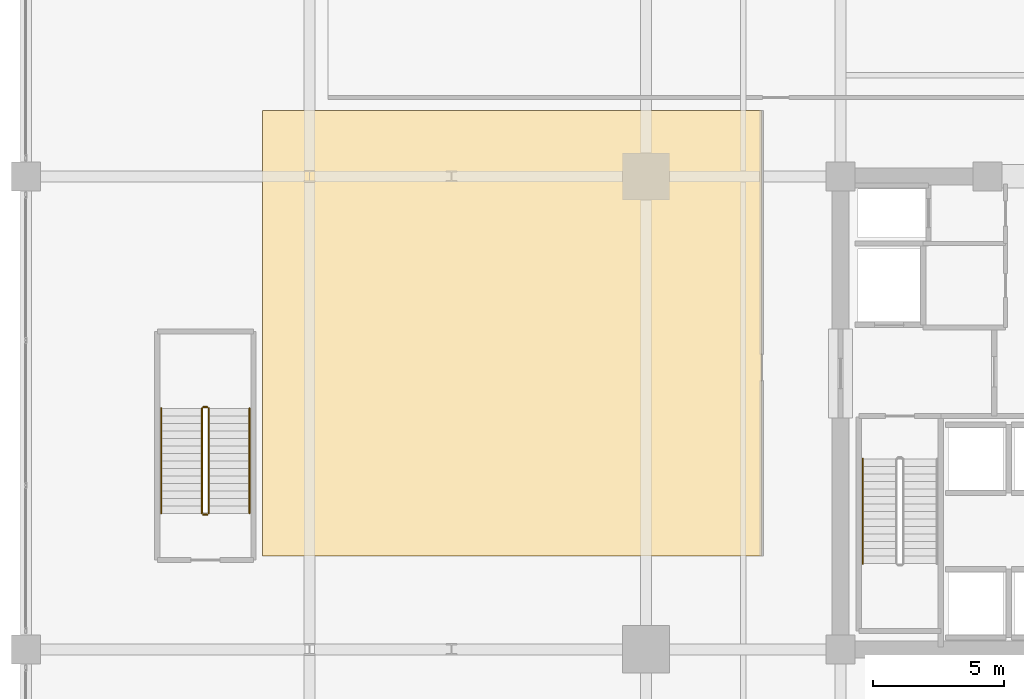
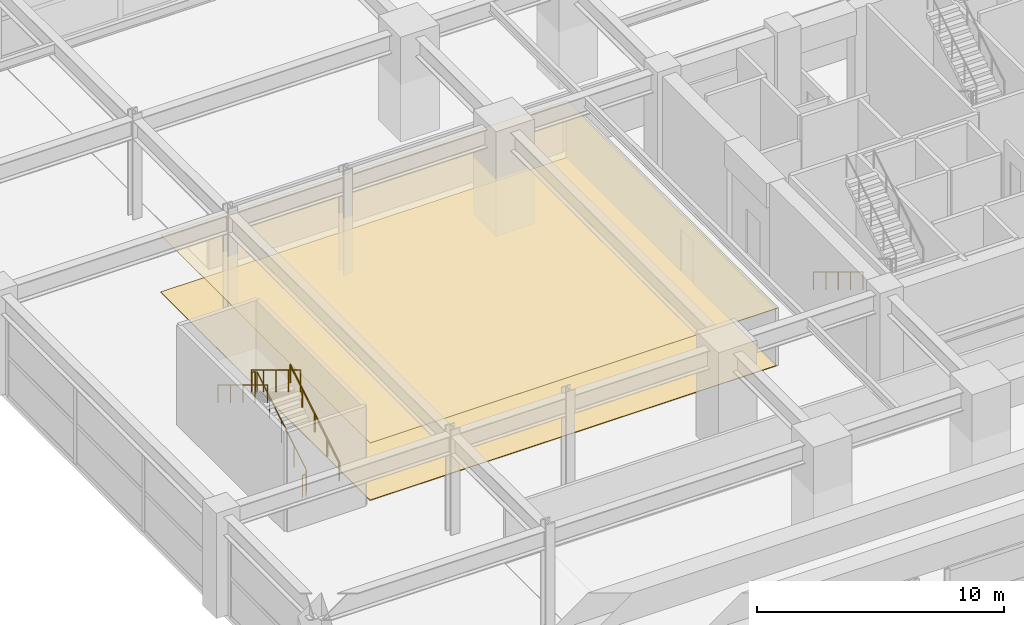
# One storey, part 39 of 45: 7 railings, 2 coverings.
"""IFC4 building model written with IfcOpenShell, lengths in metres."""

import ifcopenshell
import ifcopenshell.guid

model = None  # the IFC model being written
_history = None  # IfcOwnerHistory: only IFC2X3 demands one
_inside = {}  # id of a spatial element -> (the spatial element, [elements in it])
_under = {}  # id of a project, library or spatial element -> (it, [spatial elements below it])
_declared = {}  # id of a project -> (the project, [libraries it declares])
_typed = {}  # id of a type object -> (the type object, [elements of that type])
_made_of = {}  # id of a material, layer set ... -> (it, [elements and type objects made of it])


def new_model(schema):
    """Start an empty IFC model of exactly this schema.

    Asked for "IFC4X3", IfcOpenShell would pick the latest addendum, in which some entities
    have other attributes; the version numbers below select the first issue.
    IFC2X3 requires an IfcOwnerHistory on every rooted entity: one is made here for all.
    """
    global model, _history
    if schema == "IFC4X3":
        model = ifcopenshell.file(schema_version=(4, 3, 0, 0))
    else:
        model = ifcopenshell.file(schema=schema)
    _inside.clear()
    _under.clear()
    _declared.clear()
    _typed.clear()
    _made_of.clear()
    _history = None
    if model.schema == "IFC2X3":
        org = make("IfcOrganization", Name="unknown")
        user = make(
            "IfcPersonAndOrganization",
            ThePerson=make("IfcPerson", FamilyName="unknown"),
            TheOrganization=org,
        )
        app = make(
            "IfcApplication",
            ApplicationDeveloper=org,
            Version="unknown",
            ApplicationFullName="unknown",
            ApplicationIdentifier="unknown",
        )
        _history = make(
            "IfcOwnerHistory",
            OwningUser=user,
            OwningApplication=app,
            ChangeAction="ADDED",
            CreationDate=0,
        )
    return model


def make(cls, **values):
    """One entity of the class cls with the attributes given. An attribute that is None is left unset."""
    return model.create_entity(
        cls, **{name: value for name, value in values.items() if value is not None}
    )


def rooted(cls, **values):
    """An entity with a GlobalId (a new one), such as an element, a storey or a relation."""
    return make(cls, GlobalId=ifcopenshell.guid.new(), OwnerHistory=_history, **values)


def si_unit(unit_type, name, prefix=None):
    """IfcSIUnit, for example si_unit("LENGTHUNIT", "METRE", prefix="MILLI")."""
    return make("IfcSIUnit", UnitType=unit_type, Prefix=prefix, Name=name)


def assignment(units):
    """IfcUnitAssignment: the units of a project."""
    return None if units is None else make("IfcUnitAssignment", Units=units)


def point(xyz):
    """IfcCartesianPoint."""
    return None if xyz is None else make("IfcCartesianPoint", Coordinates=xyz)


def direction(xyz):
    """IfcDirection."""
    return None if xyz is None else make("IfcDirection", DirectionRatios=xyz)


def frame(location, z_axis=None, x_axis=None):
    """IfcAxis2Placement3D, a coordinate frame: its origin and axes. An axis left out is left unset."""
    return make(
        "IfcAxis2Placement3D",
        Location=point(location),
        Axis=direction(z_axis),
        RefDirection=direction(x_axis),
    )


def frame_2d(location, x_axis=None):
    """IfcAxis2Placement2D, a coordinate frame in the plane: its origin and x axis."""
    return make(
        "IfcAxis2Placement2D", Location=point(location), RefDirection=direction(x_axis)
    )


def origin():
    """The frame at (0, 0, 0) with its axes left unset."""
    return frame((0.0, 0.0, 0.0))


def origin_2d():
    """The frame at (0, 0) in the plane with its x axis left unset."""
    return frame_2d((0.0, 0.0))


def place(relative_to, where):
    """IfcLocalPlacement: puts the frame where relative to a parent placement (None: the world)."""
    return make(
        "IfcLocalPlacement", PlacementRelTo=relative_to, RelativePlacement=where
    )


def context(
    kind, dimensions, precision=None, world=None, true_north=None, identifier=None
):
    """IfcGeometricRepresentationContext, for example the 3D "Model" context."""
    return make(
        "IfcGeometricRepresentationContext",
        ContextIdentifier=identifier,
        ContextType=kind,
        CoordinateSpaceDimension=dimensions,
        Precision=precision,
        WorldCoordinateSystem=world,
        TrueNorth=true_north,
    )


def subcontext(parent, identifier, kind, view, scale=None):
    """IfcGeometricRepresentationSubContext, for example "Body" below "Model"."""
    return make(
        "IfcGeometricRepresentationSubContext",
        ContextIdentifier=identifier,
        ContextType=kind,
        ParentContext=parent,
        TargetScale=scale,
        TargetView=view,
    )


def project(units=None, contexts=None):
    """IfcProject with its units and contexts."""
    return rooted(
        "IfcProject",
        Name="project",
        RepresentationContexts=contexts,
        UnitsInContext=assignment(units),
    )


def spatial(cls, under=None, at=None, **own):
    """A site, building, storey or space (cls), placed at a placement, below another one or the project."""
    s = rooted(cls, ObjectPlacement=at, **own)
    if under is not None:
        _under.setdefault(under.id(), (under, []))[1].append(s)
    return s


def polyline(points):
    """IfcPolyline through the points."""
    return make("IfcPolyline", Points=[point(p) for p in points])


def profile(cls, at=None, kind="AREA", **sizes):
    """A parametric profile (cls). Its sizes go by their IFC names, for example OverallWidth=200.0."""
    return make(cls, ProfileType=kind, Position=at, **sizes)


def circle(**sizes):
    """IfcCircleProfileDef."""
    return profile("IfcCircleProfileDef", **sizes)


def outline(outer, holes=None, kind="AREA"):
    """IfcArbitraryClosedProfileDef: a profile drawn as a closed curve; with holes, ...WithVoids."""
    if holes is None:
        return make("IfcArbitraryClosedProfileDef", ProfileType=kind, OuterCurve=outer)
    return make(
        "IfcArbitraryProfileDefWithVoids",
        ProfileType=kind,
        OuterCurve=outer,
        InnerCurves=holes,
    )


def extrude(swept, where, along, depth):
    """IfcExtrudedAreaSolid: the profile swept, set in the frame where, extruded along a direction by depth."""
    return make(
        "IfcExtrudedAreaSolid",
        SweptArea=swept,
        Position=where,
        ExtrudedDirection=direction(along),
        Depth=depth,
    )


def shape(context_of_items, identifier, shape_type, items):
    """IfcShapeRepresentation: the items that make up one representation, for example the "Body"."""
    return make(
        "IfcShapeRepresentation",
        ContextOfItems=context_of_items,
        RepresentationIdentifier=identifier,
        RepresentationType=shape_type,
        Items=items,
    )


def material(Name=None, Category=None):
    """IfcMaterial."""
    return make("IfcMaterial", Name=Name, Category=Category)


def layer(
    of_material, thickness, ventilated=None, Name=None, Category=None, Priority=None
):
    """IfcMaterialLayer: one layer of a wall or slab, of a material (None: an air gap)."""
    return make(
        "IfcMaterialLayer",
        Material=of_material,
        LayerThickness=thickness,
        IsVentilated=ventilated,
        Name=Name,
        Category=Category,
        Priority=Priority,
    )


def layer_set(layers, Name=None):
    """IfcMaterialLayerSet."""
    return make("IfcMaterialLayerSet", MaterialLayers=layers, LayerSetName=Name)


def made_of(thing, what):
    """Note that an element or type object is made of a material, layer set ...; save() writes the relation."""
    if what is not None:
        _made_of.setdefault(what.id(), (what, []))[1].append(thing)
    return thing


def type_object(cls, material=None, **own):
    """A type object (cls), such as IfcWallType, which elements share."""
    return made_of(rooted(cls, **own), material)


def element(
    cls,
    number,
    at=None,
    inside=None,
    cuts=None,
    type_object=None,
    material=None,
    context=None,
    identifier="Body",
    shape_type=None,
    held_by="IfcProductDefinitionShape",
    body=None,
    shapes=None,
    **own,
):
    """One element of the class cls, such as IfcWall. Its Tag is "e" and its number.

    at: its placement. inside: the storey or other place that contains it. cuts: it is an
    opening in that element (IfcRelVoidsElement). A single representation is given by context,
    identifier, shape_type and body (its items); several are given by shapes. held_by: the class
    of the entity that holds the representations. save() writes the other relations.
    """
    e = rooted(cls, Tag="e%d" % number, ObjectPlacement=at, **own)
    if body is not None:
        shapes = [shape(context, identifier, shape_type, body)]
    if shapes is not None:
        e.Representation = make(held_by, Representations=shapes)
    if inside is not None:
        _inside.setdefault(inside.id(), (inside, []))[1].append(e)
    if cuts is not None:
        rooted(
            "IfcRelVoidsElement", RelatingBuildingElement=cuts, RelatedOpeningElement=e
        )
    if type_object is not None:
        _typed.setdefault(type_object.id(), (type_object, []))[1].append(e)
    return made_of(e, material)


def aggregate(whole, parts):
    """IfcRelAggregates: a whole, such as a stair, and the parts it consists of."""
    return rooted("IfcRelAggregates", RelatingObject=whole, RelatedObjects=parts)


def save(model, path):
    """Write the relations noted so far, then the file.

    IfcRelAggregates (storeys below a building ...), IfcRelContainedInSpatialStructure (elements
    in a storey), IfcRelDefinesByType, IfcRelAssociatesMaterial and IfcRelDeclares: one each for
    every whole, place, type object, material and project.
    """
    for whole, parts in _under.values():
        aggregate(whole, parts)
    for where, things in _inside.values():
        rooted(
            "IfcRelContainedInSpatialStructure",
            RelatedElements=things,
            RelatingStructure=where,
        )
    for kind, things in _typed.values():
        rooted("IfcRelDefinesByType", RelatedObjects=things, RelatingType=kind)
    for what, things in _made_of.values():
        rooted("IfcRelAssociatesMaterial", RelatedObjects=things, RelatingMaterial=what)
    for by, libraries in _declared.values():
        rooted("IfcRelDeclares", RelatingContext=by, RelatedDefinitions=libraries)
    model.write(path)


model = new_model("IFC4")

# Units and contexts
model_context = context("Model", 3, precision=1e-05, world=origin(), true_north=direction((0.0, 1.0)))
body_context = subcontext(model_context, "Body", "Model", "MODEL_VIEW")
ifc_project = project(units=[si_unit("LENGTHUNIT", "METRE"), si_unit("AREAUNIT", "SQUARE_METRE"), si_unit("VOLUMEUNIT", "CUBIC_METRE"), si_unit("PLANEANGLEUNIT", "RADIAN"), si_unit("MASSUNIT", "GRAM", prefix="KILO")], contexts=[model_context])

# Site, building, storey
site_placement = place(None, origin())
site = spatial("IfcSite", under=ifc_project, at=site_placement, CompositionType="ELEMENT")
building_placement = place(site_placement, origin())
building = spatial("IfcBuilding", under=site, at=building_placement, Name="Kovane Verandah Tower", CompositionType="ELEMENT")
storey_placement = place(building_placement, frame((0.0, 0.0, 6.0)))
storey = spatial("IfcBuildingStorey", under=building, at=storey_placement, Name="L01", CompositionType="ELEMENT", Elevation=6.0)

# Coverings
ifc_material_1 = material(Name="Perforated Acoustic Mineral-Fibre Ceiling Tile", Category="gypsum")
ifc_layer_1 = layer(ifc_material_1, 0.02490234375)
ifc_layer_set_1 = layer_set([ifc_layer_1], Name="Perforated Acoustic Mineral-Fibre Ceiling Tile")
covering_type_1 = type_object("IfcCoveringType", Name="CV-CEIL-25", PredefinedType="CEILING", material=ifc_layer_set_1)
covering_1_placement = place(storey_placement, frame((0.0, 0.0, 2.824951171875)))
element("IfcCovering", 1, at=covering_1_placement, inside=storey, type_object=covering_type_1, Name="L01 West Client Advisory Suite Acoustic Ceiling", PredefinedType="CEILING", context=body_context, shape_type="SweptSolid", body=[
    extrude(outline(polyline([(7.0, 22.050048828125), (26.0, 22.050048828125), (26.0, 39.0), (7.0, 39.0), (7.0, 22.050048828125)])), origin(), (0.0, 0.0, 1.0), 0.025146484375),
])
ifc_material_2 = material(Name="Polished Terrazzo and Raised-Access Carpet Tile Finish", Category="concrete")
ifc_layer_2 = layer(ifc_material_2, 0.030029296875)
ifc_layer_set_2 = layer_set([ifc_layer_2], Name="Polished Terrazzo and Raised-Access Carpet Tile Finish")
covering_type_2 = type_object("IfcCoveringType", Name="CV-FLOR-30", PredefinedType="FLOORING", material=ifc_layer_set_2)
covering_2_placement = place(storey_placement, origin())
element("IfcCovering", 2, at=covering_2_placement, inside=storey, type_object=covering_type_2, Name="L01 West Client Advisory Suite Floor Finish", PredefinedType="FLOORING", context=body_context, shape_type="SweptSolid", body=[
    extrude(outline(polyline([(7.0, 22.050048828125), (26.0, 22.050048828125), (26.0, 39.0), (7.0, 39.0), (7.0, 22.050048828125)])), origin(), (0.0, 0.0, 1.0), 0.030029296875),
])

# Railings
ifc_material_3 = material(Name="Brushed Stainless Steel Handrail", Category="steel")
railing_type_1 = type_object("IfcRailingType", Name="RL-HAND-920", PredefinedType="HANDRAIL", material=ifc_material_3)
railing_1_placement = place(storey_placement, frame((29.85009765625, 25.75, 0.17333984375)))
element("IfcRailing", 3, at=railing_1_placement, inside=storey, type_object=railing_type_1, Name="L01 ST-01 stair handrail 1", PredefinedType="HANDRAIL", context=body_context, shape_type="SweptSolid", body=[
    extrude(circle(Radius=0.02392578125, at=origin_2d()), frame((0.0, 0.0, 0.8759765625), z_axis=(0.0, -0.854382233033, 0.519645071061), x_axis=(1.0, 0.0, 0.0)), (0.0, 0.0, 1.0), 4.669921875),
    extrude(circle(Radius=0.02099609375, at=origin_2d()), origin(), (0.0, 0.0, 1.0), 0.851806640625),
    extrude(circle(Radius=0.02099609375, at=origin_2d()), frame((0.0, -0.99755859375, 0.606689453125)), (0.0, 0.0, 1.0), 0.851806640625),
    extrude(circle(Radius=0.02099609375, at=origin_2d()), frame((0.0, -1.9951171875, 1.21337890625)), (0.0, 0.0, 1.0), 0.851806640625),
    extrude(circle(Radius=0.02099609375, at=origin_2d()), frame((0.0, -2.992431640625, 1.820068359375)), (0.0, 0.0, 1.0), 0.851806640625),
    extrude(circle(Radius=0.02099609375, at=origin_2d()), frame((0.0, -3.989990234375, 2.4267578125)), (0.0, 0.0, 1.0), 0.851806640625),
])
railing_2_placement = place(storey_placement, frame((6.510009765625, 23.679931640625, 0.17333984375)))
element("IfcRailing", 4, at=railing_2_placement, inside=storey, type_object=railing_type_1, Name="L01 ST-04 stair handrail 1", PredefinedType="HANDRAIL", context=body_context, shape_type="SweptSolid", body=[
    extrude(circle(Radius=0.02392578125, at=origin_2d()), frame((0.0, 0.0, 0.8759765625), z_axis=(0.0, 0.854382233033, 0.519645071061), x_axis=(-1.0, 0.0, 0.0)), (0.0, 0.0, 1.0), 4.669921875),
    extrude(circle(Radius=0.02099609375, at=origin_2d()), origin(), (0.0, 0.0, 1.0), 0.851806640625),
    extrude(circle(Radius=0.02099609375, at=origin_2d()), frame((0.0, 0.99755859375, 0.606689453125)), (0.0, 0.0, 1.0), 0.851806640625),
    extrude(circle(Radius=0.02099609375, at=origin_2d()), frame((0.0, 1.9951171875, 1.21337890625)), (0.0, 0.0, 1.0), 0.851806640625),
    extrude(circle(Radius=0.02099609375, at=origin_2d()), frame((0.0, 2.992431640625, 1.820068359375)), (0.0, 0.0, 1.0), 0.851806640625),
    extrude(circle(Radius=0.02099609375, at=origin_2d()), frame((0.0, 3.989990234375, 2.4267578125)), (0.0, 0.0, 1.0), 0.851806640625),
])
railing_3_placement = place(storey_placement, frame((3.14990234375, 27.669921875, 2.7734375)))
element("IfcRailing", 5, at=railing_3_placement, inside=storey, type_object=railing_type_1, Name="L01 ST-04 stair handrail 2", PredefinedType="HANDRAIL", context=body_context, shape_type="SweptSolid", body=[
    extrude(circle(Radius=0.02392578125, at=origin_2d()), frame((0.0, 0.0, 0.8759765625), z_axis=(0.0, -0.854405443041, 0.519606908058), x_axis=(1.0, 0.0, 0.0)), (0.0, 0.0, 1.0), 4.669921875),
    extrude(circle(Radius=0.02099609375, at=origin_2d()), origin(), (0.0, 0.0, 1.0), 0.851806640625),
    extrude(circle(Radius=0.02099609375, at=origin_2d()), frame((0.0, -0.99755859375, 0.606689453125)), (0.0, 0.0, 1.0), 0.851806640625),
    extrude(circle(Radius=0.02099609375, at=origin_2d()), frame((0.0, -1.9951171875, 1.21337890625)), (0.0, 0.0, 1.0), 0.851806640625),
    extrude(circle(Radius=0.02099609375, at=origin_2d()), frame((0.0, -2.992431640625, 1.81982421875)), (0.0, 0.0, 1.0), 0.851806640625),
    extrude(circle(Radius=0.02099609375, at=origin_2d()), frame((0.0, -3.989990234375, 2.426513671875)), (0.0, 0.0, 1.0), 0.851806640625),
])
ifc_material_4 = material(Name="Painted Steel Stairwell Guardrail", Category="steel")
railing_type_2 = type_object("IfcRailingType", Name="RL-STGUARD-1120", PredefinedType="GUARDRAIL", material=ifc_material_4)
railing_4_placement = place(storey_placement, frame((4.9599609375, 23.679931640625, 0.17333984375)))
element("IfcRailing", 6, at=railing_4_placement, inside=storey, type_object=railing_type_2, Name="L01 ST-04 stair guard 1", PredefinedType="GUARDRAIL", context=body_context, shape_type="SweptSolid", body=[
    extrude(circle(Radius=0.02392578125, at=origin_2d()), frame((0.0, 0.0, 1.076171875), z_axis=(0.0, 0.854382233033, 0.519645071061), x_axis=(-1.0, 0.0, 0.0)), (0.0, 0.0, 1.0), 4.669921875),
    extrude(circle(Radius=0.02099609375, at=origin_2d()), origin(), (0.0, 0.0, 1.0), 1.052001953125),
    extrude(circle(Radius=0.02099609375, at=origin_2d()), frame((0.0, 0.99755859375, 0.606689453125)), (0.0, 0.0, 1.0), 1.052001953125),
    extrude(circle(Radius=0.02099609375, at=origin_2d()), frame((0.0, 1.9951171875, 1.21337890625)), (0.0, 0.0, 1.0), 1.052001953125),
    extrude(circle(Radius=0.02099609375, at=origin_2d()), frame((0.0, 2.992431640625, 1.820068359375)), (0.0, 0.0, 1.0), 1.052001953125),
    extrude(circle(Radius=0.02099609375, at=origin_2d()), frame((0.0, 3.989990234375, 2.4267578125)), (0.0, 0.0, 1.0), 1.052001953125),
])
railing_5_placement = place(storey_placement, frame((4.909912109375, 27.719970703125, 2.60009765625)))
element("IfcRailing", 7, at=railing_5_placement, inside=storey, type_object=railing_type_2, Name="L01 ST-04 stair guard 2", PredefinedType="GUARDRAIL", context=body_context, shape_type="SweptSolid", body=[
    extrude(circle(Radius=0.02392578125, at=origin_2d()), frame((0.0, 0.0, 1.076171875), z_axis=(-1.0, 0.0, 0.0), x_axis=(0.0, -1.0, 0.0)), (0.0, 0.0, 1.0), 0.159912109375),
    extrude(circle(Radius=0.02099609375, at=origin_2d()), origin(), (0.0, 0.0, 1.0), 1.052001953125),
    extrude(circle(Radius=0.02099609375, at=origin_2d()), frame((-0.159912109375, 0.0, 0.0)), (0.0, 0.0, 1.0), 1.052001953125),
])
railing_6_placement = place(storey_placement, frame((4.699951171875, 27.669921875, 2.7734375)))
element("IfcRailing", 8, at=railing_6_placement, inside=storey, type_object=railing_type_2, Name="L01 ST-04 stair guard 3", PredefinedType="GUARDRAIL", context=body_context, shape_type="SweptSolid", body=[
    extrude(circle(Radius=0.02392578125, at=origin_2d()), frame((0.0, 0.0, 1.076171875), z_axis=(0.0, -0.854405443041, 0.519606908058), x_axis=(1.0, 0.0, 0.0)), (0.0, 0.0, 1.0), 4.669921875),
    extrude(circle(Radius=0.02099609375, at=origin_2d()), origin(), (0.0, 0.0, 1.0), 1.052001953125),
    extrude(circle(Radius=0.02099609375, at=origin_2d()), frame((0.0, -0.99755859375, 0.606689453125)), (0.0, 0.0, 1.0), 1.052001953125),
    extrude(circle(Radius=0.02099609375, at=origin_2d()), frame((0.0, -1.9951171875, 1.21337890625)), (0.0, 0.0, 1.0), 1.052001953125),
    extrude(circle(Radius=0.02099609375, at=origin_2d()), frame((0.0, -2.992431640625, 1.81982421875)), (0.0, 0.0, 1.0), 1.052001953125),
    extrude(circle(Radius=0.02099609375, at=origin_2d()), frame((0.0, -3.989990234375, 2.426513671875)), (0.0, 0.0, 1.0), 1.052001953125),
])
railing_7_placement = place(storey_placement, frame((4.909912109375, 23.6298828125, 0.0)))
element("IfcRailing", 9, at=railing_7_placement, inside=storey, type_object=railing_type_2, Name="L01 ST-04 stair guard 4", PredefinedType="GUARDRAIL", context=body_context, shape_type="SweptSolid", body=[
    extrude(circle(Radius=0.02392578125, at=origin_2d()), frame((0.0, 0.0, 1.076171875), z_axis=(-1.0, 0.0, 0.0), x_axis=(0.0, -1.0, 0.0)), (0.0, 0.0, 1.0), 0.159912109375),
    extrude(circle(Radius=0.02099609375, at=origin_2d()), origin(), (0.0, 0.0, 1.0), 1.052001953125),
    extrude(circle(Radius=0.02099609375, at=origin_2d()), frame((-0.159912109375, 0.0, 0.0)), (0.0, 0.0, 1.0), 1.052001953125),
])

save(model, "model.ifc")
